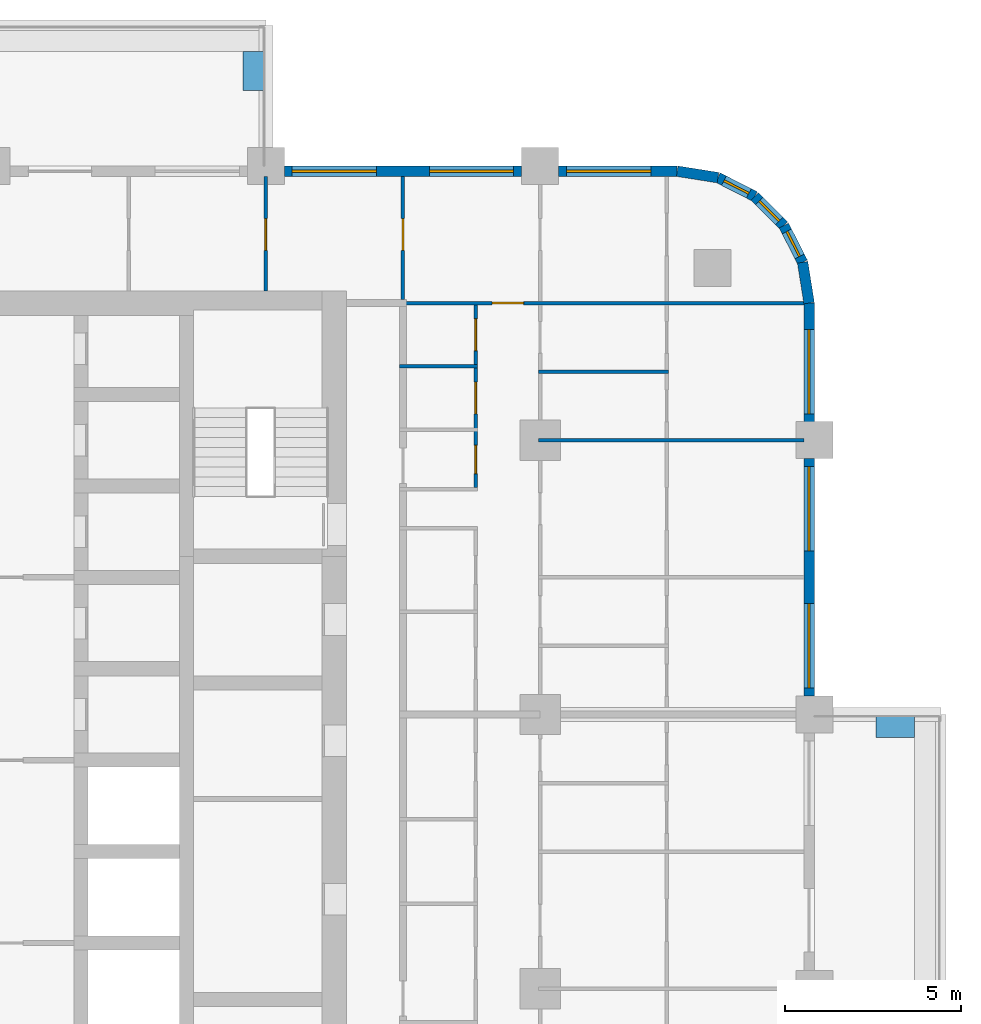
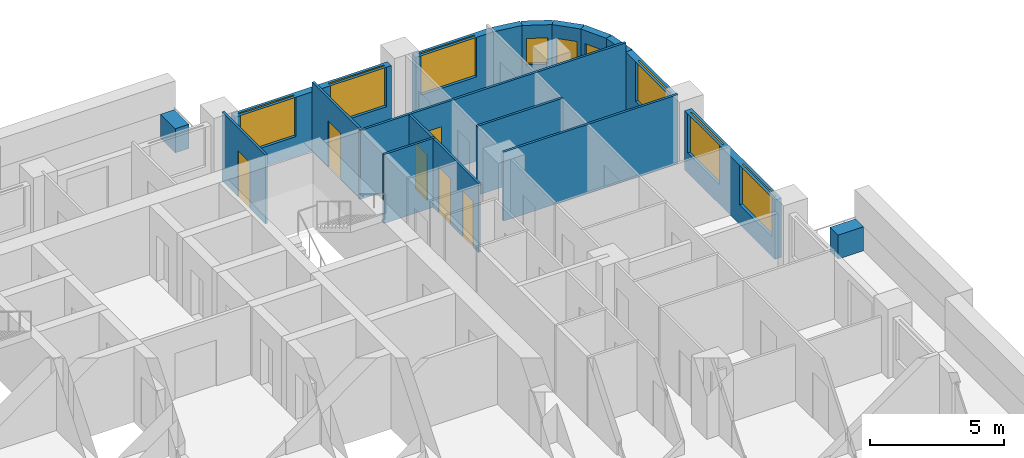
# One storey, part 13 of 17: 18 walls, 9 windows, 6 doors, 15 openings.
"""IFC4 building model written with IfcOpenShell, lengths in metres."""

from ifc_helpers import new_model, si_unit, direction, frame, frame_2d, origin, place, context, subcontext, project, spatial, rectangle, extrude, material, layer, layer_set, type_object, element, fill, save


model = new_model("IFC4")

# Units and contexts
model_context = context("Model", 3, precision=1e-05, world=origin(), true_north=direction((0.0, 1.0)))
body_context = subcontext(model_context, "Body", "Model", "MODEL_VIEW")
ifc_project = project(units=[si_unit("LENGTHUNIT", "METRE"), si_unit("AREAUNIT", "SQUARE_METRE"), si_unit("VOLUMEUNIT", "CUBIC_METRE"), si_unit("PLANEANGLEUNIT", "RADIAN"), si_unit("MASSUNIT", "GRAM", prefix="KILO")], contexts=[model_context])

# Site, building, storey
site_placement = place(None, origin())
site = spatial("IfcSite", under=ifc_project, at=site_placement, CompositionType="ELEMENT")
building_placement = place(site_placement, origin())
building = spatial("IfcBuilding", under=site, at=building_placement, Name="Ludao Terraces", CompositionType="ELEMENT")
storey_placement = place(building_placement, frame((0.0, 0.0, 51.199951171875)))
storey = spatial("IfcBuildingStorey", under=building, at=storey_placement, Name="L13", CompositionType="ELEMENT", Elevation=51.199951171875)

# Walls
ifc_material_1 = material(Name="Concrete C40", Category="concrete")
ifc_layer_1 = layer(ifc_material_1, 0.60009765625)
ifc_layer_set_1 = layer_set([ifc_layer_1], Name="ENV Planter trough 600")
wall_type_1 = type_object("IfcWallType", Name="ENV Planter trough 600", PredefinedType="USERDEFINED", material=ifc_layer_set_1)
wall_1_placement = place(storey_placement, frame((111.25, 72.449951171875, 0.0), z_axis=(0.0, 0.0, 1.0), x_axis=(-1.0, 0.0, 0.0)))
element("IfcWall", 1, at=wall_1_placement, inside=storey, type_object=wall_type_1, Name="PL-L13-E3-SB", ObjectType="PLANTER", PredefinedType="USERDEFINED", context=body_context, shape_type="SweptSolid", body=[
    extrude(rectangle(XDim=1.10009765625, YDim=0.60009765625, at=frame_2d((0.550048828125, 0.0))), origin(), (0.0, 0.0, 1.0), 1.10009765625),
])
wall_2_placement = place(storey_placement, frame((92.449951171875, 91.64990234375, 0.0), z_axis=(0.0, 0.0, 1.0), x_axis=(0.0, -1.0, 0.0)))
element("IfcWall", 2, at=wall_2_placement, inside=storey, type_object=wall_type_1, Name="PL-L13-N3-SB", ObjectType="PLANTER", PredefinedType="USERDEFINED", context=body_context, shape_type="SweptSolid", body=[
    extrude(rectangle(XDim=1.099853515625, YDim=0.60009765625, at=frame_2d((0.5498046875, 0.0))), origin(), (0.0, 0.0, 1.0), 1.10009765625),
])

# Wall, openings, windows
ifc_material_2 = material(Name="Granite cladding", Category="masonry")
ifc_layer_2 = layer(ifc_material_2, 0.0400390625, Category="stone")
ifc_material_3 = material(Name="Mineral wool")
ifc_layer_3 = layer(ifc_material_3, 0.06005859375)
ifc_layer_4 = layer(ifc_material_1, 0.199951171875, Category="concrete")
ifc_layer_set_2 = layer_set([ifc_layer_2, ifc_layer_3, ifc_layer_4], Name="ENV Stone-clad wall 300")
wall_type_2 = type_object("IfcWallType", Name="ENV Stone-clad wall 300", PredefinedType="SOLIDWALL", material=ifc_layer_set_2)
wall_3_placement = place(storey_placement, frame((108.25, 73.324951171875, 0.0), z_axis=(0.0, 0.0, 1.0), x_axis=(0.0, 1.0, 0.0)))
wall_3 = element("IfcWall", 3, at=wall_3_placement, inside=storey, type_object=wall_type_2, Name="EW-L13-E5", PredefinedType="SOLIDWALL", context=body_context, shape_type="SweptSolid", body=[
    extrude(rectangle(XDim=6.75, YDim=0.300048828125, at=frame_2d((3.375, 0.0))), origin(), (0.0, 0.0, 1.0), 2.699951171875),
])
opening_1_placement = place(wall_3_placement, frame((0.22509765625, 0.0, 0.89990234375)))
opening_1 = element("IfcOpeningElement", 4, at=opening_1_placement, cuts=wall_3, Name="Opening W1", PredefinedType="OPENING", context=body_context, shape_type="SweptSolid", body=[
    extrude(rectangle(XDim=2.39990234375, YDim=1.800048828125, at=frame_2d((1.199951171875, 0.89990234375))), frame((0.0, 0.16015625, 0.0), z_axis=(0.0, -1.0, 0.0), x_axis=(1.0, 0.0, 0.0)), (0.0, 0.0, 1.0), 0.320068359375),
])
opening_2_placement = place(wall_3_placement, frame((4.125, 0.0, 0.89990234375)))
opening_2 = element("IfcOpeningElement", 5, at=opening_2_placement, cuts=wall_3, Name="Opening W1", PredefinedType="OPENING", context=body_context, shape_type="SweptSolid", body=[
    extrude(rectangle(XDim=2.39990234375, YDim=1.800048828125, at=frame_2d((1.199951171875, 0.89990234375))), frame((0.0, 0.16015625, 0.0), z_axis=(0.0, -1.0, 0.0), x_axis=(1.0, 0.0, 0.0)), (0.0, 0.0, 1.0), 0.320068359375),
])
ifc_material_4 = material(Name="Clear glass in aluminium frame", Category="aluminium")
ifc_layer_5 = layer(ifc_material_4, 0.06005859375)
ifc_layer_set_3 = layer_set([ifc_layer_5], Name="ENV Window W1 2400x1800")
window_type_1 = type_object("IfcWindowType", Name="ENV Window W1 2400x1800", PartitioningType="DOUBLE_PANEL_VERTICAL", PredefinedType="WINDOW", material=ifc_layer_set_3)
window_1_placement = place(opening_1_placement, origin())
window_1 = element("IfcWindow", 6, at=window_1_placement, inside=storey, type_object=window_type_1, Name="W-L13-E5-1", OverallHeight=1.800048828125, OverallWidth=2.39990234375, PartitioningType="DOUBLE_PANEL_VERTICAL", PredefinedType="WINDOW", context=body_context, shape_type="SweptSolid", body=[
    extrude(rectangle(XDim=2.39990234375, YDim=1.800048828125, at=frame_2d((1.199951171875, 0.89990234375))), frame((0.0, 0.030029296875, 0.0), z_axis=(0.0, -1.0, 0.0), x_axis=(1.0, 0.0, 0.0)), (0.0, 0.0, 1.0), 0.06005859375),
])
fill(opening_1, window_1)
window_2_placement = place(opening_2_placement, origin())
window_2 = element("IfcWindow", 7, at=window_2_placement, inside=storey, type_object=window_type_1, Name="W-L13-E5-2", OverallHeight=1.800048828125, OverallWidth=2.39990234375, PartitioningType="DOUBLE_PANEL_VERTICAL", PredefinedType="WINDOW", context=body_context, shape_type="SweptSolid", body=[
    extrude(rectangle(XDim=2.39990234375, YDim=1.800048828125, at=frame_2d((1.199951171875, 0.89990234375))), frame((0.0, 0.030029296875, 0.0), z_axis=(0.0, -1.0, 0.0), x_axis=(1.0, 0.0, 0.0)), (0.0, 0.0, 1.0), 0.06005859375),
])
fill(opening_2, window_2)

# Wall, opening, window
wall_4_placement = place(storey_placement, frame((108.25, 81.125, 0.0), z_axis=(0.0, 0.0, 1.0), x_axis=(0.0, 1.0, 0.0)))
wall_4 = element("IfcWall", 8, at=wall_4_placement, inside=storey, type_object=wall_type_2, Name="EW-L13-E6", PredefinedType="SOLIDWALL", context=body_context, shape_type="SweptSolid", body=[
    extrude(rectangle(XDim=3.375, YDim=0.300048828125, at=frame_2d((1.6875, 0.0))), origin(), (0.0, 0.0, 1.0), 2.699951171875),
])
opening_3_placement = place(wall_4_placement, frame((0.22509765625, 0.0, 0.89990234375)))
opening_3 = element("IfcOpeningElement", 9, at=opening_3_placement, cuts=wall_4, Name="Opening W1", PredefinedType="OPENING", context=body_context, shape_type="SweptSolid", body=[
    extrude(rectangle(XDim=2.39990234375, YDim=1.800048828125, at=frame_2d((1.199951171875, 0.89990234375))), frame((0.0, 0.16015625, 0.0), z_axis=(0.0, -1.0, 0.0), x_axis=(1.0, 0.0, 0.0)), (0.0, 0.0, 1.0), 0.320068359375),
])
window_3_placement = place(opening_3_placement, origin())
window_3 = element("IfcWindow", 10, at=window_3_placement, inside=storey, type_object=window_type_1, Name="W-L13-E6-1", OverallHeight=1.800048828125, OverallWidth=2.39990234375, PartitioningType="DOUBLE_PANEL_VERTICAL", PredefinedType="WINDOW", context=body_context, shape_type="SweptSolid", body=[
    extrude(rectangle(XDim=2.39990234375, YDim=1.800048828125, at=frame_2d((1.199951171875, 0.89990234375))), frame((0.0, 0.030029296875, 0.0), z_axis=(0.0, -1.0, 0.0), x_axis=(1.0, 0.0, 0.0)), (0.0, 0.0, 1.0), 0.06005859375),
])
fill(opening_3, window_3)

# Wall, openings, windows
wall_5_placement = place(storey_placement, frame((93.324951171875, 88.25, 0.0), z_axis=(0.0, 0.0, 1.0), x_axis=(1.0, 0.0, 0.0)))
wall_5 = element("IfcWall", 11, at=wall_5_placement, inside=storey, type_object=wall_type_2, Name="EW-L13-N5", PredefinedType="SOLIDWALL", context=body_context, shape_type="SweptSolid", body=[
    extrude(rectangle(XDim=6.75, YDim=0.300048828125, at=frame_2d((3.375, 0.0))), origin(), (0.0, 0.0, 1.0), 2.699951171875),
])
opening_4_placement = place(wall_5_placement, frame((0.22509765625, 0.0, 0.89990234375)))
opening_4 = element("IfcOpeningElement", 12, at=opening_4_placement, cuts=wall_5, Name="Opening W1", PredefinedType="OPENING", context=body_context, shape_type="SweptSolid", body=[
    extrude(rectangle(XDim=2.39990234375, YDim=1.800048828125, at=frame_2d((1.199951171875, 0.89990234375))), frame((0.0, 0.16015625, 0.0), z_axis=(0.0, -1.0, 0.0), x_axis=(1.0, 0.0, 0.0)), (0.0, 0.0, 1.0), 0.320068359375),
])
opening_5_placement = place(wall_5_placement, frame((4.125, 0.0, 0.89990234375)))
opening_5 = element("IfcOpeningElement", 13, at=opening_5_placement, cuts=wall_5, Name="Opening W1", PredefinedType="OPENING", context=body_context, shape_type="SweptSolid", body=[
    extrude(rectangle(XDim=2.39990234375, YDim=1.800048828125, at=frame_2d((1.199951171875, 0.89990234375))), frame((0.0, 0.16015625, 0.0), z_axis=(0.0, -1.0, 0.0), x_axis=(1.0, 0.0, 0.0)), (0.0, 0.0, 1.0), 0.320068359375),
])
window_4_placement = place(opening_4_placement, origin())
window_4 = element("IfcWindow", 14, at=window_4_placement, inside=storey, type_object=window_type_1, Name="W-L13-N5-1", OverallHeight=1.800048828125, OverallWidth=2.39990234375, PartitioningType="DOUBLE_PANEL_VERTICAL", PredefinedType="WINDOW", context=body_context, shape_type="SweptSolid", body=[
    extrude(rectangle(XDim=2.39990234375, YDim=1.800048828125, at=frame_2d((1.199951171875, 0.89990234375))), frame((0.0, 0.030029296875, 0.0), z_axis=(0.0, -1.0, 0.0), x_axis=(1.0, 0.0, 0.0)), (0.0, 0.0, 1.0), 0.06005859375),
])
fill(opening_4, window_4)
window_5_placement = place(opening_5_placement, origin())
window_5 = element("IfcWindow", 15, at=window_5_placement, inside=storey, type_object=window_type_1, Name="W-L13-N5-2", OverallHeight=1.800048828125, OverallWidth=2.39990234375, PartitioningType="DOUBLE_PANEL_VERTICAL", PredefinedType="WINDOW", context=body_context, shape_type="SweptSolid", body=[
    extrude(rectangle(XDim=2.39990234375, YDim=1.800048828125, at=frame_2d((1.199951171875, 0.89990234375))), frame((0.0, 0.030029296875, 0.0), z_axis=(0.0, -1.0, 0.0), x_axis=(1.0, 0.0, 0.0)), (0.0, 0.0, 1.0), 0.06005859375),
])
fill(opening_5, window_5)

# Wall, opening, window
wall_6_placement = place(storey_placement, frame((101.125, 88.25, 0.0), z_axis=(0.0, 0.0, 1.0), x_axis=(1.0, 0.0, 0.0)))
wall_6 = element("IfcWall", 16, at=wall_6_placement, inside=storey, type_object=wall_type_2, Name="EW-L13-N6", PredefinedType="SOLIDWALL", context=body_context, shape_type="SweptSolid", body=[
    extrude(rectangle(XDim=3.375, YDim=0.300048828125, at=frame_2d((1.6875, 0.0))), origin(), (0.0, 0.0, 1.0), 2.699951171875),
])
opening_6_placement = place(wall_6_placement, frame((0.22509765625, 0.0, 0.89990234375)))
opening_6 = element("IfcOpeningElement", 17, at=opening_6_placement, cuts=wall_6, Name="Opening W1", PredefinedType="OPENING", context=body_context, shape_type="SweptSolid", body=[
    extrude(rectangle(XDim=2.39990234375, YDim=1.800048828125, at=frame_2d((1.199951171875, 0.89990234375))), frame((0.0, 0.16015625, 0.0), z_axis=(0.0, -1.0, 0.0), x_axis=(1.0, 0.0, 0.0)), (0.0, 0.0, 1.0), 0.320068359375),
])
window_6_placement = place(opening_6_placement, origin())
window_6 = element("IfcWindow", 18, at=window_6_placement, inside=storey, type_object=window_type_1, Name="W-L13-N6-1", OverallHeight=1.800048828125, OverallWidth=2.39990234375, PartitioningType="DOUBLE_PANEL_VERTICAL", PredefinedType="WINDOW", context=body_context, shape_type="SweptSolid", body=[
    extrude(rectangle(XDim=2.39990234375, YDim=1.800048828125, at=frame_2d((1.199951171875, 0.89990234375))), frame((0.0, 0.030029296875, 0.0), z_axis=(0.0, -1.0, 0.0), x_axis=(1.0, 0.0, 0.0)), (0.0, 0.0, 1.0), 0.06005859375),
])
fill(opening_6, window_6)

# Wall
wall_7_placement = place(storey_placement, frame((108.25, 84.5, 0.0), z_axis=(0.0, 0.0, 1.0), x_axis=(-0.156496880861, 0.987678452879, 0.0)))
element("IfcWall", 19, at=wall_7_placement, inside=storey, type_object=wall_type_2, Name="EW-L13-NE1", PredefinedType="SOLIDWALL", context=body_context, shape_type="SweptSolid", body=[
    extrude(rectangle(XDim=1.173095703125, YDim=0.300048828125, at=frame_2d((0.58642578125, 0.0))), origin(), (0.0, 0.0, 1.0), 2.699951171875),
])

# Wall, opening, window
wall_8_placement = place(storey_placement, frame((108.06640625, 85.65869140625, 0.0), z_axis=(0.0, 0.0, 1.0), x_axis=(-0.454025524128, 0.890988677504, 0.0)))
wall_8 = element("IfcWall", 20, at=wall_8_placement, inside=storey, type_object=wall_type_2, Name="EW-L13-NE2", PredefinedType="SOLIDWALL", context=body_context, shape_type="SweptSolid", body=[
    extrude(rectangle(XDim=1.17333984375, YDim=0.300048828125, at=frame_2d((0.586669921875, 0.0))), origin(), (0.0, 0.0, 1.0), 2.699951171875),
])
opening_7_placement = place(wall_8_placement, frame((0.1865234375, 0.0, 0.89990234375)))
opening_7 = element("IfcOpeningElement", 21, at=opening_7_placement, cuts=wall_8, Name="Opening W3", PredefinedType="OPENING", context=body_context, shape_type="SweptSolid", body=[
    extrude(rectangle(XDim=0.800048828125, YDim=1.199951171875, at=frame_2d((0.39990234375, 0.60009765625))), frame((0.0, 0.16015625, 0.0), z_axis=(0.0, -1.0, 0.0), x_axis=(1.0, 0.0, 0.0)), (0.0, 0.0, 1.0), 0.320068359375),
])
ifc_layer_6 = layer(ifc_material_4, 0.06005859375)
ifc_layer_set_4 = layer_set([ifc_layer_6], Name="ENV Window W3 800x1200")
window_type_2 = type_object("IfcWindowType", Name="ENV Window W3 800x1200", PartitioningType="SINGLE_PANEL", PredefinedType="WINDOW", material=ifc_layer_set_4)
window_7_placement = place(opening_7_placement, origin())
window_7 = element("IfcWindow", 22, at=window_7_placement, inside=storey, type_object=window_type_2, Name="W-L13-NE2", OverallHeight=1.199951171875, OverallWidth=0.800048828125, PartitioningType="SINGLE_PANEL", PredefinedType="WINDOW", context=body_context, shape_type="SweptSolid", body=[
    extrude(rectangle(XDim=0.800048828125, YDim=1.199951171875, at=frame_2d((0.39990234375, 0.60009765625))), frame((0.0, 0.030029296875, 0.0), z_axis=(0.0, -1.0, 0.0), x_axis=(1.0, 0.0, 0.0)), (0.0, 0.0, 1.0), 0.06005859375),
])
fill(opening_7, window_7)

wall_9_placement = place(storey_placement, frame((107.53369140625, 86.7041015625, 0.0), z_axis=(0.0, 0.0, 1.0), x_axis=(-0.707106781187, 0.707106781187, 0.0)))
wall_9 = element("IfcWall", 23, at=wall_9_placement, inside=storey, type_object=wall_type_2, Name="EW-L13-NE3", PredefinedType="SOLIDWALL", context=body_context, shape_type="SweptSolid", body=[
    extrude(rectangle(XDim=1.173095703125, YDim=0.300048828125, at=frame_2d((0.58642578125, 0.0))), origin(), (0.0, 0.0, 1.0), 2.699951171875),
])
opening_8_placement = place(wall_9_placement, frame((0.1865234375, 0.0, 0.89990234375)))
opening_8 = element("IfcOpeningElement", 24, at=opening_8_placement, cuts=wall_9, Name="Opening W3", PredefinedType="OPENING", context=body_context, shape_type="SweptSolid", body=[
    extrude(rectangle(XDim=0.800048828125, YDim=1.199951171875, at=frame_2d((0.39990234375, 0.60009765625))), frame((0.0, 0.16015625, 0.0), z_axis=(0.0, -1.0, 0.0), x_axis=(1.0, 0.0, 0.0)), (0.0, 0.0, 1.0), 0.320068359375),
])
window_8_placement = place(opening_8_placement, origin())
window_8 = element("IfcWindow", 25, at=window_8_placement, inside=storey, type_object=window_type_2, Name="W-L13-NE3", OverallHeight=1.199951171875, OverallWidth=0.800048828125, PartitioningType="SINGLE_PANEL", PredefinedType="WINDOW", context=body_context, shape_type="SweptSolid", body=[
    extrude(rectangle(XDim=0.800048828125, YDim=1.199951171875, at=frame_2d((0.39990234375, 0.60009765625))), frame((0.0, 0.030029296875, 0.0), z_axis=(0.0, -1.0, 0.0), x_axis=(1.0, 0.0, 0.0)), (0.0, 0.0, 1.0), 0.06005859375),
])
fill(opening_8, window_8)

wall_10_placement = place(storey_placement, frame((106.7041015625, 87.53369140625, 0.0), z_axis=(0.0, 0.0, 1.0), x_axis=(-0.890988677504, 0.454025524128, 0.0)))
wall_10 = element("IfcWall", 26, at=wall_10_placement, inside=storey, type_object=wall_type_2, Name="EW-L13-NE4", PredefinedType="SOLIDWALL", context=body_context, shape_type="SweptSolid", body=[
    extrude(rectangle(XDim=1.17333984375, YDim=0.300048828125, at=frame_2d((0.586669921875, 0.0))), origin(), (0.0, 0.0, 1.0), 2.699951171875),
])
opening_9_placement = place(wall_10_placement, frame((0.1865234375, 0.0, 0.89990234375)))
opening_9 = element("IfcOpeningElement", 27, at=opening_9_placement, cuts=wall_10, Name="Opening W3", PredefinedType="OPENING", context=body_context, shape_type="SweptSolid", body=[
    extrude(rectangle(XDim=0.800048828125, YDim=1.199951171875, at=frame_2d((0.39990234375, 0.60009765625))), frame((0.0, 0.16015625, 0.0), z_axis=(0.0, -1.0, 0.0), x_axis=(1.0, 0.0, 0.0)), (0.0, 0.0, 1.0), 0.320068359375),
])
window_9_placement = place(opening_9_placement, origin())
window_9 = element("IfcWindow", 28, at=window_9_placement, inside=storey, type_object=window_type_2, Name="W-L13-NE4", OverallHeight=1.199951171875, OverallWidth=0.800048828125, PartitioningType="SINGLE_PANEL", PredefinedType="WINDOW", context=body_context, shape_type="SweptSolid", body=[
    extrude(rectangle(XDim=0.800048828125, YDim=1.199951171875, at=frame_2d((0.39990234375, 0.60009765625))), frame((0.0, 0.030029296875, 0.0), z_axis=(0.0, -1.0, 0.0), x_axis=(1.0, 0.0, 0.0)), (0.0, 0.0, 1.0), 0.06005859375),
])
fill(opening_9, window_9)

# Walls
wall_11_placement = place(storey_placement, frame((105.65869140625, 88.06640625, 0.0), z_axis=(0.0, 0.0, 1.0), x_axis=(-0.987678452879, 0.156496880861, 0.0)))
element("IfcWall", 29, at=wall_11_placement, inside=storey, type_object=wall_type_2, Name="EW-L13-NE5", PredefinedType="SOLIDWALL", context=body_context, shape_type="SweptSolid", body=[
    extrude(rectangle(XDim=1.173095703125, YDim=0.300048828125, at=frame_2d((0.58642578125, 0.0))), origin(), (0.0, 0.0, 1.0), 2.699951171875),
])
ifc_material_5 = material(Name="Gypsum plasterboard", Category="gypsum")
ifc_layer_7 = layer(ifc_material_5, 0.012451171875, Category="gypsum")
ifc_layer_8 = layer(ifc_material_3, 0.06005859375, Name="insulation")
ifc_material_6 = material(Name="Steel Q235", Category="steel")
ifc_layer_9 = layer(ifc_material_6, 0.014892578125, Name="stud")
ifc_layer_10 = layer(ifc_material_5, 0.012451171875, Category="gypsum")
ifc_layer_set_5 = layer_set([ifc_layer_7, ifc_layer_8, ifc_layer_9, ifc_layer_10], Name="INT Partition 100")
wall_type_3 = type_object("IfcWallType", Name="INT Partition 100", PredefinedType="PARTITIONING", material=ifc_layer_set_5)
wall_12_placement = place(storey_placement, frame((100.550048828125, 80.60009765625, 0.0), z_axis=(0.0, 0.0, 1.0), x_axis=(1.0, 0.0, 0.0)))
element("IfcWall", 30, at=wall_12_placement, inside=storey, type_object=wall_type_3, Name="PW-L13-PW071", PredefinedType="PARTITIONING", context=body_context, shape_type="SweptSolid", body=[
    extrude(rectangle(XDim=7.550048828125, YDim=0.10009765625, at=frame_2d((3.77490234375, 0.0))), origin(), (0.0, 0.0, 1.0), 3.150146484375),
])
wall_13_placement = place(storey_placement, frame((100.550048828125, 82.550048828125, 0.0), z_axis=(0.0, 0.0, 1.0), x_axis=(1.0, 0.0, 0.0)))
element("IfcWall", 31, at=wall_13_placement, inside=storey, type_object=wall_type_3, Name="PW-L13-PW074", PredefinedType="PARTITIONING", context=body_context, shape_type="SweptSolid", body=[
    extrude(rectangle(XDim=3.699951171875, YDim=0.10009765625, at=frame_2d((1.85009765625, 0.0))), origin(), (0.0, 0.0, 1.0), 3.150146484375),
])
wall_14_placement = place(storey_placement, frame((96.60009765625, 82.699951171875, 0.0), z_axis=(0.0, 0.0, 1.0), x_axis=(1.0, 0.0, 0.0)))
element("IfcWall", 32, at=wall_14_placement, inside=storey, type_object=wall_type_3, Name="PW-L13-PW075", PredefinedType="PARTITIONING", context=body_context, shape_type="SweptSolid", body=[
    extrude(rectangle(XDim=2.219970703125, YDim=0.10009765625, at=frame_2d((1.10986328125, 0.0))), origin(), (0.0, 0.0, 1.0), 3.150146484375),
])

# Wall, opening, door
wall_15_placement = place(storey_placement, frame((96.60009765625, 84.5, 0.0), z_axis=(0.0, 0.0, 1.0), x_axis=(1.0, 0.0, 0.0)))
wall_15 = element("IfcWall", 33, at=wall_15_placement, inside=storey, type_object=wall_type_3, Name="PW-L13-PW079", PredefinedType="PARTITIONING", context=body_context, shape_type="SweptSolid", body=[
    extrude(rectangle(XDim=11.5, YDim=0.10009765625, at=frame_2d((5.75, 0.0))), origin(), (0.0, 0.0, 1.0), 3.150146484375),
])
opening_10_placement = place(wall_15_placement, frame((2.635009765625, 0.0, 0.0)))
opening_10 = element("IfcOpeningElement", 34, at=opening_10_placement, cuts=wall_15, Name="Opening R04-154", PredefinedType="OPENING", context=body_context, shape_type="SweptSolid", body=[
    extrude(rectangle(XDim=0.89990234375, YDim=2.10009765625, at=frame_2d((0.449951171875, 1.050048828125))), frame((0.0, 0.06005859375, 0.0), z_axis=(0.0, -1.0, 0.0), x_axis=(1.0, 0.0, 0.0)), (0.0, 0.0, 1.0), 0.1201171875),
])
ifc_material_7 = material(Name="Timber door leaf", Category="wood")
door_type_1 = type_object("IfcDoorType", Name="INT Room door 900", OperationType="SINGLE_SWING_LEFT", PredefinedType="DOOR", material=ifc_material_7)
door_1_placement = place(opening_10_placement, origin())
door_1 = element("IfcDoor", 35, at=door_1_placement, inside=storey, type_object=door_type_1, Name="DOOR 154", OperationType="SINGLE_SWING_RIGHT", OverallHeight=2.10009765625, OverallWidth=0.89990234375, PredefinedType="DOOR", context=body_context, shape_type="SweptSolid", body=[
    extrude(rectangle(XDim=0.89990234375, YDim=2.10009765625, at=frame_2d((0.449951171875, 1.050048828125))), frame((0.0, 0.02490234375, 0.0), z_axis=(0.0, -1.0, 0.0), x_axis=(1.0, 0.0, 0.0)), (0.0, 0.0, 1.0), 0.050048828125),
])
fill(opening_10, door_1)

wall_16_placement = place(storey_placement, frame((92.800048828125, 84.85009765625, 0.0), z_axis=(0.0, 0.0, 1.0), x_axis=(0.0, 1.0, 0.0)))
wall_16 = element("IfcWall", 36, at=wall_16_placement, inside=storey, type_object=wall_type_3, Name="PW-L13-PW111", PredefinedType="PARTITIONING", context=body_context, shape_type="SweptSolid", body=[
    extrude(rectangle(XDim=3.25, YDim=0.10009765625, at=frame_2d((1.625, 0.0))), origin(), (0.0, 0.0, 1.0), 3.150146484375),
])
opening_11_placement = place(wall_16_placement, frame((1.14990234375, 0.0, 0.0)))
opening_11 = element("IfcOpeningElement", 37, at=opening_11_placement, cuts=wall_16, Name="Opening R04-161", PredefinedType="OPENING", context=body_context, shape_type="SweptSolid", body=[
    extrude(rectangle(XDim=0.89990234375, YDim=2.10009765625, at=frame_2d((0.449951171875, 1.050048828125))), frame((0.0, 0.06005859375, 0.0), z_axis=(0.0, -1.0, 0.0), x_axis=(1.0, 0.0, 0.0)), (0.0, 0.0, 1.0), 0.1201171875),
])
door_2_placement = place(opening_11_placement, origin())
door_2 = element("IfcDoor", 38, at=door_2_placement, inside=storey, type_object=door_type_1, Name="DOOR 161", OperationType="SINGLE_SWING_LEFT", OverallHeight=2.10009765625, OverallWidth=0.89990234375, PredefinedType="DOOR", context=body_context, shape_type="SweptSolid", body=[
    extrude(rectangle(XDim=0.89990234375, YDim=2.10009765625, at=frame_2d((0.449951171875, 1.050048828125))), frame((0.0, 0.02490234375, 0.0), z_axis=(0.0, -1.0, 0.0), x_axis=(1.0, 0.0, 0.0)), (0.0, 0.0, 1.0), 0.050048828125),
])
fill(opening_11, door_2)

wall_17_placement = place(storey_placement, frame((96.699951171875, 84.60009765625, 0.0), z_axis=(0.0, 0.0, 1.0), x_axis=(0.0, 1.0, 0.0)))
wall_17 = element("IfcWall", 39, at=wall_17_placement, inside=storey, type_object=wall_type_3, Name="PW-L13-PW115", PredefinedType="PARTITIONING", context=body_context, shape_type="SweptSolid", body=[
    extrude(rectangle(XDim=3.5, YDim=0.10009765625, at=frame_2d((1.75, 0.0))), origin(), (0.0, 0.0, 1.0), 3.150146484375),
])
opening_12_placement = place(wall_17_placement, frame((1.39990234375, 0.0, 0.0)))
opening_12 = element("IfcOpeningElement", 40, at=opening_12_placement, cuts=wall_17, Name="Opening R04-162", PredefinedType="OPENING", context=body_context, shape_type="SweptSolid", body=[
    extrude(rectangle(XDim=0.89990234375, YDim=2.10009765625, at=frame_2d((0.449951171875, 1.050048828125))), frame((0.0, 0.06005859375, 0.0), z_axis=(0.0, -1.0, 0.0), x_axis=(1.0, 0.0, 0.0)), (0.0, 0.0, 1.0), 0.1201171875),
])
door_3_placement = place(opening_12_placement, origin())
door_3 = element("IfcDoor", 41, at=door_3_placement, inside=storey, type_object=door_type_1, Name="DOOR 162", OperationType="SINGLE_SWING_RIGHT", OverallHeight=2.10009765625, OverallWidth=0.89990234375, PredefinedType="DOOR", context=body_context, shape_type="SweptSolid", body=[
    extrude(rectangle(XDim=0.89990234375, YDim=2.10009765625, at=frame_2d((0.449951171875, 1.050048828125))), frame((0.0, 0.02490234375, 0.0), z_axis=(0.0, -1.0, 0.0), x_axis=(1.0, 0.0, 0.0)), (0.0, 0.0, 1.0), 0.050048828125),
])
fill(opening_12, door_3)

# Wall, openings, doors
wall_18_placement = place(storey_placement, frame((98.77001953125, 79.25, 0.0), z_axis=(0.0, 0.0, 1.0), x_axis=(0.0, 1.0, 0.0)))
wall_18 = element("IfcWall", 42, at=wall_18_placement, inside=storey, type_object=wall_type_3, Name="PW-L13-PW119", PredefinedType="PARTITIONING", context=body_context, shape_type="SweptSolid", body=[
    extrude(rectangle(XDim=5.2001953125, YDim=0.10009765625, at=frame_2d((2.60009765625, 0.0))), origin(), (0.0, 0.0, 1.0), 3.150146484375),
])
opening_13_placement = place(wall_18_placement, frame((0.400146484375, 0.0, 0.0)))
opening_13 = element("IfcOpeningElement", 43, at=opening_13_placement, cuts=wall_18, Name="Opening R04-138", PredefinedType="OPENING", context=body_context, shape_type="SweptSolid", body=[
    extrude(rectangle(XDim=0.800048828125, YDim=2.10009765625, at=frame_2d((0.39990234375, 1.050048828125))), frame((0.0, 0.06005859375, 0.0), z_axis=(0.0, -1.0, 0.0), x_axis=(1.0, 0.0, 0.0)), (0.0, 0.0, 1.0), 0.1201171875),
])
opening_14_placement = place(wall_18_placement, frame((2.10009765625, 0.0, 0.0)))
opening_14 = element("IfcOpeningElement", 44, at=opening_14_placement, cuts=wall_18, Name="Opening R04-144", PredefinedType="OPENING", context=body_context, shape_type="SweptSolid", body=[
    extrude(rectangle(XDim=0.89990234375, YDim=2.10009765625, at=frame_2d((0.449951171875, 1.050048828125))), frame((0.0, 0.06005859375, 0.0), z_axis=(0.0, -1.0, 0.0), x_axis=(1.0, 0.0, 0.0)), (0.0, 0.0, 1.0), 0.1201171875),
])
opening_15_placement = place(wall_18_placement, frame((3.900146484375, 0.0, 0.0)))
opening_15 = element("IfcOpeningElement", 45, at=opening_15_placement, cuts=wall_18, Name="Opening R04-152", PredefinedType="OPENING", context=body_context, shape_type="SweptSolid", body=[
    extrude(rectangle(XDim=0.89990234375, YDim=2.10009765625, at=frame_2d((0.449951171875, 1.050048828125))), frame((0.0, 0.06005859375, 0.0), z_axis=(0.0, -1.0, 0.0), x_axis=(1.0, 0.0, 0.0)), (0.0, 0.0, 1.0), 0.1201171875),
])
door_type_2 = type_object("IfcDoorType", Name="INT Bathroom door 900", OperationType="SINGLE_SWING_LEFT", PredefinedType="DOOR", material=ifc_material_7)
door_4_placement = place(opening_14_placement, origin())
door_4 = element("IfcDoor", 46, at=door_4_placement, inside=storey, type_object=door_type_2, Name="DOOR 144", OperationType="SINGLE_SWING_LEFT", OverallHeight=2.10009765625, OverallWidth=0.89990234375, PredefinedType="DOOR", context=body_context, shape_type="SweptSolid", body=[
    extrude(rectangle(XDim=0.89990234375, YDim=2.10009765625, at=frame_2d((0.449951171875, 1.050048828125))), frame((0.0, 0.02490234375, 0.0), z_axis=(0.0, -1.0, 0.0), x_axis=(1.0, 0.0, 0.0)), (0.0, 0.0, 1.0), 0.050048828125),
])
fill(opening_14, door_4)
door_5_placement = place(opening_15_placement, origin())
door_5 = element("IfcDoor", 47, at=door_5_placement, inside=storey, type_object=door_type_2, Name="DOOR 152", OperationType="SINGLE_SWING_LEFT", OverallHeight=2.10009765625, OverallWidth=0.89990234375, PredefinedType="DOOR", context=body_context, shape_type="SweptSolid", body=[
    extrude(rectangle(XDim=0.89990234375, YDim=2.10009765625, at=frame_2d((0.449951171875, 1.050048828125))), frame((0.0, 0.02490234375, 0.0), z_axis=(0.0, -1.0, 0.0), x_axis=(1.0, 0.0, 0.0)), (0.0, 0.0, 1.0), 0.050048828125),
])
fill(opening_15, door_5)
door_type_3 = type_object("IfcDoorType", Name="INT Store door 800", OperationType="SINGLE_SWING_LEFT", PredefinedType="DOOR", material=ifc_material_7)
door_6_placement = place(opening_13_placement, origin())
door_6 = element("IfcDoor", 48, at=door_6_placement, inside=storey, type_object=door_type_3, Name="DOOR 138", OperationType="SINGLE_SWING_RIGHT", OverallHeight=2.10009765625, OverallWidth=0.800048828125, PredefinedType="DOOR", context=body_context, shape_type="SweptSolid", body=[
    extrude(rectangle(XDim=0.800048828125, YDim=2.10009765625, at=frame_2d((0.39990234375, 1.050048828125))), frame((0.0, 0.02490234375, 0.0), z_axis=(0.0, -1.0, 0.0), x_axis=(1.0, 0.0, 0.0)), (0.0, 0.0, 1.0), 0.050048828125),
])
fill(opening_13, door_6)

save(model, "model.ifc")
